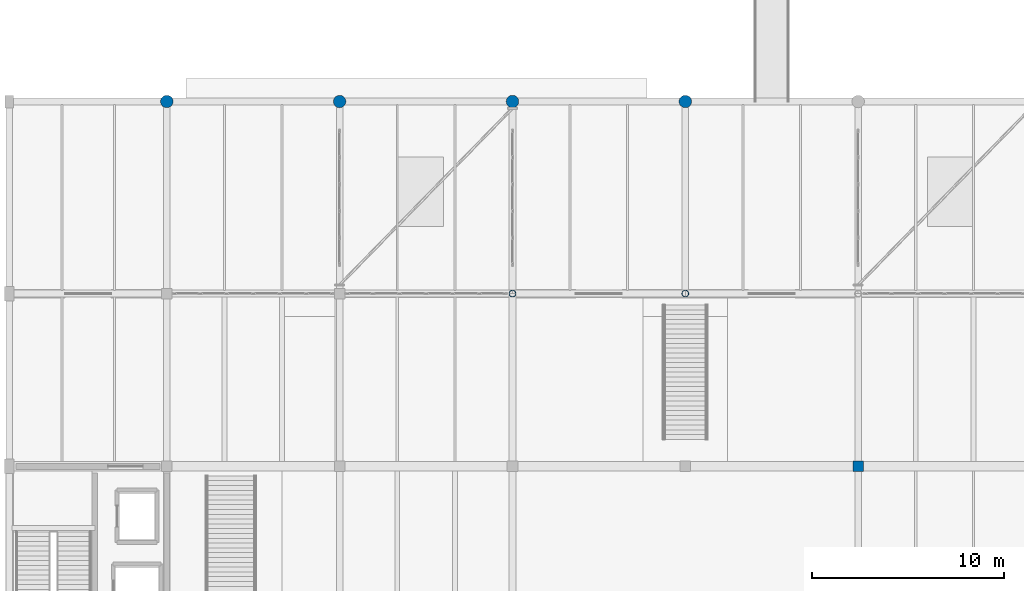
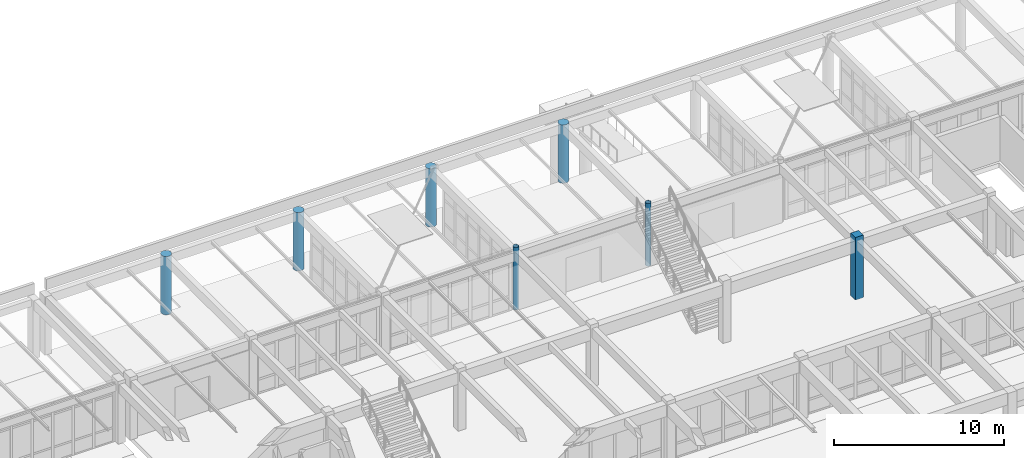
# One storey, part 16 of 186: 7 columns.
"""IFC4 building model written with IfcOpenShell, lengths in metres."""

from ifc_helpers import new_model, si_unit, direction, frame, origin, origin_2d, place, context, subcontext, project, spatial, rectangle, circle, hollow_circle, extrude, material, material_profile, profile_set, type_object, element, save


model = new_model("IFC4")

# Units and contexts
model_context = context("Model", 3, precision=1e-05, world=origin(), true_north=direction((0.0, 1.0)))
body_context = subcontext(model_context, "Body", "Model", "MODEL_VIEW")
ifc_project = project(units=[si_unit("LENGTHUNIT", "METRE"), si_unit("AREAUNIT", "SQUARE_METRE"), si_unit("VOLUMEUNIT", "CUBIC_METRE"), si_unit("PLANEANGLEUNIT", "RADIAN"), si_unit("MASSUNIT", "GRAM", prefix="KILO")], contexts=[model_context])

# Site, building, storey
site_placement = place(None, origin())
site = spatial("IfcSite", under=ifc_project, at=site_placement, CompositionType="ELEMENT")
building_placement = place(site_placement, origin())
building = spatial("IfcBuilding", under=site, at=building_placement, Name="Ornek Quay Market", CompositionType="ELEMENT")
storey_placement = place(building_placement, origin())
storey = spatial("IfcBuildingStorey", under=building, at=storey_placement, Name="L00", CompositionType="ELEMENT", Elevation=0.0)

# Columns
ifc_material_1 = material(Name="Steel S355", Category="steel")
ifc_material_profile_1 = material_profile(ifc_material_1, hollow_circle(Radius=0.177734375, WallThickness=0.01416015625, at=origin_2d()), Name="CHS 355.6x14.2", Category="steel")
ifc_profile_set_1 = profile_set([ifc_material_profile_1], Name="Steel S355")
column_type_1 = type_object("IfcColumnType", Name="COL-PORCH-CHS355", PredefinedType="PILASTER", material=ifc_profile_set_1)
for number, where, z_axis, x_axis, name in (
    (1, (81.0, 110.0, 0.0), (0.0, 0.0, 1.0), (1.0, 0.0, 0.0), "Column C-ST2-001"),
    (2, (90.0, 110.0, 0.0), (0.0, 0.0, 1.0), (1.0, 0.0, 0.0), "Column C-ST2-002"),
):
    element("IfcColumn", number, at=place(storey_placement, frame(where, z_axis=z_axis, x_axis=x_axis)), inside=storey, type_object=column_type_1, Name=name, PredefinedType="PILASTER", context=body_context, shape_type="SweptSolid", body=[
        extrude(hollow_circle(Radius=0.177734375, WallThickness=0.01416015625, at=origin_2d()), origin(), (0.0, 0.0, 1.0), 4.5),
    ])
ifc_material_2 = material(Name="Concrete C40/50", Category="concrete")
ifc_material_profile_2 = material_profile(ifc_material_2, circle(Radius=0.324951171875, at=origin_2d()), Name="RC D650", Category="concrete")
ifc_profile_set_2 = profile_set([ifc_material_profile_2], Name="Concrete C40/50")
column_type_2 = type_object("IfcColumnType", Name="COL-QUAY-D650", PredefinedType="COLUMN", material=ifc_profile_set_2)
for number, where, z_axis, x_axis, name in (
    (3, (63.0, 120.0, 0.0), (0.0, 0.0, 1.0), (1.0, 0.0, 0.0), "Column C-QD1-007"),
    (4, (72.0, 120.0, 0.0), (0.0, 0.0, 1.0), (1.0, 0.0, 0.0), "Column C-QD1-008"),
    (5, (81.0, 120.0, 0.0), (0.0, 0.0, 1.0), (1.0, 0.0, 0.0), "Column C-QD1-009"),
    (6, (90.0, 120.0, 0.0), (0.0, 0.0, 1.0), (1.0, 0.0, 0.0), "Column C-QD1-010"),
):
    element("IfcColumn", number, at=place(storey_placement, frame(where, z_axis=z_axis, x_axis=x_axis)), inside=storey, type_object=column_type_2, Name=name, PredefinedType="COLUMN", context=body_context, shape_type="SweptSolid", body=[
        extrude(circle(Radius=0.324951171875, at=origin_2d()), origin(), (0.0, 0.0, 1.0), 4.18994140625),
    ])
ifc_material_profile_3 = material_profile(ifc_material_2, rectangle(XDim=0.550048828125, YDim=0.550048828125, at=origin_2d()), Name="RC 550x550", Category="concrete")
ifc_profile_set_3 = profile_set([ifc_material_profile_3], Name="Concrete C40/50")
column_type_3 = type_object("IfcColumnType", Name="COL-RC-550x550", PredefinedType="COLUMN", material=ifc_profile_set_3)
column_placement = place(storey_placement, frame((99.0, 101.0, 0.0), z_axis=(0.0, 0.0, 1.0), x_axis=(1.0, 0.0, 0.0)))
element("IfcColumn", 7, at=column_placement, inside=storey, type_object=column_type_3, Name="Column C-55-057", PredefinedType="COLUMN", context=body_context, shape_type="SweptSolid", body=[
    extrude(rectangle(XDim=0.550048828125, YDim=0.550048828125, at=origin_2d()), origin(), (0.0, 0.0, 1.0), 4.5),
])

save(model, "model.ifc")
